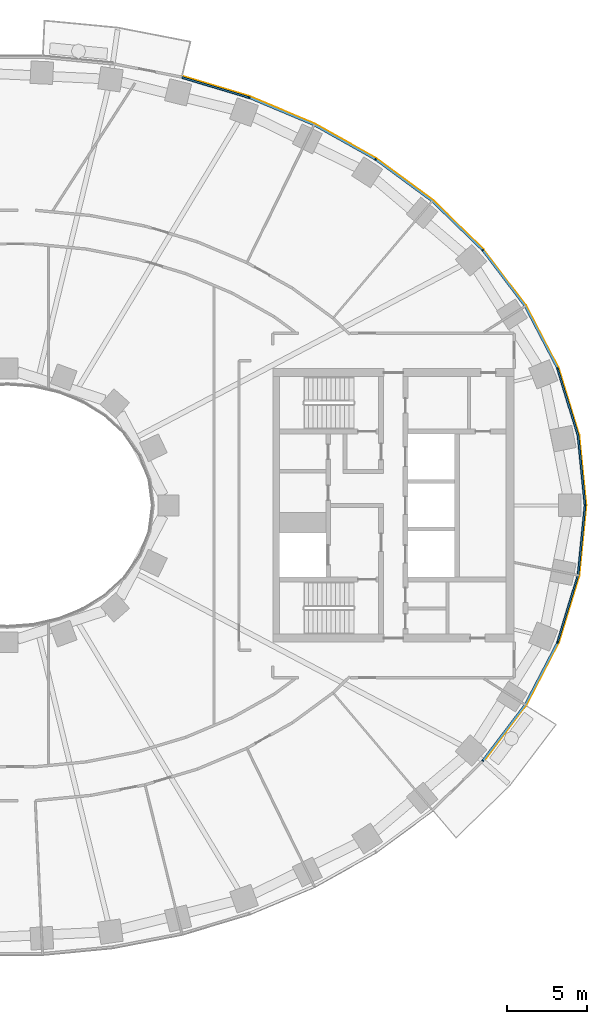
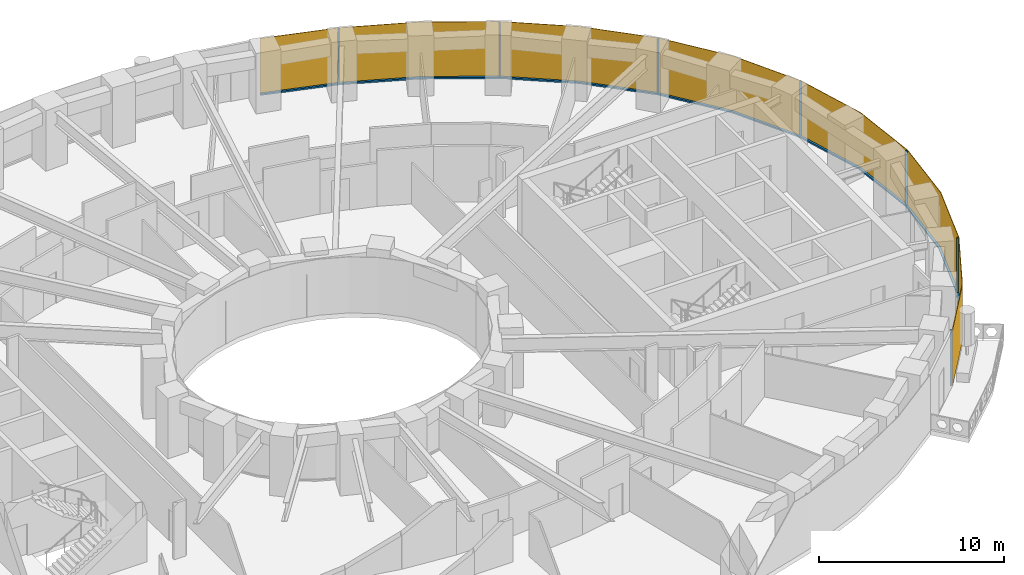
# One storey, part 13 of 16: 14 members, 1 curtain wall.
"""IFC4 building model written with IfcOpenShell, lengths in metres."""

from ifc_helpers import new_model, si_unit, direction, frame, origin, origin_2d, place, context, subcontext, project, spatial, polyline, rectangle, outline, extrude, material, layer, layer_set, material_profile, profile_set, type_object, element, aggregate, save


model = new_model("IFC4")

# Units and contexts
model_context = context("Model", 3, precision=1e-05, world=origin(), true_north=direction((0.0, 1.0)))
body_context = subcontext(model_context, "Body", "Model", "MODEL_VIEW")
ifc_project = project(units=[si_unit("LENGTHUNIT", "METRE"), si_unit("AREAUNIT", "SQUARE_METRE"), si_unit("VOLUMEUNIT", "CUBIC_METRE"), si_unit("PLANEANGLEUNIT", "RADIAN"), si_unit("MASSUNIT", "GRAM", prefix="KILO")], contexts=[model_context])

# Member
ifc_material_1 = material(Name="Aluminium 6063-T6 black anodised", Category="aluminium")
ifc_material_profile = material_profile(ifc_material_1, rectangle(XDim=0.1201171875, YDim=0.06005859375, at=origin_2d()), Name="120x60")
ifc_profile_set = profile_set([ifc_material_profile], Name="Aluminium 6063-T6 black anodised")
member_type_1 = type_object("IfcMemberType", Name="ENV-MULLION-A-120", PredefinedType="MULLION", material=ifc_profile_set)
site_placement = place(None, origin())
building_placement = place(site_placement, origin())
storey_placement = place(building_placement, frame((0.0, 0.0, 70.5)))
member_1_placement = place(storey_placement, frame((29.53857421875, -15.8671875, 0.0), z_axis=(0.0, 0.0, 1.0), x_axis=(-0.749047221705, 0.662516610853, 0.0)))
member_1 = element("IfcMember", 1, at=member_1_placement, type_object=member_type_1, Name="Mullion A radial 43", PredefinedType="MULLION", context=body_context, shape_type="SweptSolid", body=[
    extrude(rectangle(XDim=0.1201171875, YDim=0.06005859375, at=origin_2d()), origin(), (0.0, 0.0, 1.0), 3.699951171875),
])

member_2_placement = place(storey_placement, frame((34.19580078125, -8.513916015625, 0.0), z_axis=(0.0, 0.0, 1.0), x_axis=(-0.92546738067, 0.378827305398, 0.0)))
member_2 = element("IfcMember", 2, at=member_2_placement, type_object=member_type_1, Name="Mullion A radial 45", PredefinedType="MULLION", context=body_context, shape_type="SweptSolid", body=[
    extrude(rectangle(XDim=0.1201171875, YDim=0.06005859375, at=origin_2d()), origin(), (0.0, 0.0, 1.0), 3.699951171875),
])

member_3_placement = place(storey_placement, frame((35.907958984375, 0.0, 0.0), z_axis=(0.0, 0.0, 1.0), x_axis=(-1.0, 0.0, 0.0)))
member_3 = element("IfcMember", 3, at=member_3_placement, type_object=member_type_1, Name="Mullion A radial 01", PredefinedType="MULLION", context=body_context, shape_type="SweptSolid", body=[
    extrude(rectangle(XDim=0.1201171875, YDim=0.06005859375, at=origin_2d()), origin(), (0.0, 0.0, 1.0), 3.699951171875),
])

member_4_placement = place(storey_placement, frame((34.19580078125, 8.513916015625, 0.0), z_axis=(0.0, 0.0, 1.0), x_axis=(-0.92546738067, -0.378827305398, 0.0)))
member_4 = element("IfcMember", 4, at=member_4_placement, type_object=member_type_1, Name="Mullion A radial 03", PredefinedType="MULLION", context=body_context, shape_type="SweptSolid", body=[
    extrude(rectangle(XDim=0.1201171875, YDim=0.06005859375, at=origin_2d()), origin(), (0.0, 0.0, 1.0), 3.699951171875),
])

member_5_placement = place(storey_placement, frame((29.53857421875, 15.8671875, 0.0), z_axis=(0.0, 0.0, 1.0), x_axis=(-0.749047221705, -0.662516610853, 0.0)))
member_5 = element("IfcMember", 5, at=member_5_placement, type_object=member_type_1, Name="Mullion A radial 05", PredefinedType="MULLION", context=body_context, shape_type="SweptSolid", body=[
    extrude(rectangle(XDim=0.1201171875, YDim=0.06005859375, at=origin_2d()), origin(), (0.0, 0.0, 1.0), 3.699951171875),
])

member_6_placement = place(storey_placement, frame((22.882568359375, 21.506591796875, 0.0), z_axis=(0.0, 0.0, 1.0), x_axis=(-0.542279153225, -0.840198381323, 0.0)))
member_6 = element("IfcMember", 6, at=member_6_placement, type_object=member_type_1, Name="Mullion A radial 07", PredefinedType="MULLION", context=body_context, shape_type="SweptSolid", body=[
    extrude(rectangle(XDim=0.1201171875, YDim=0.06005859375, at=origin_2d()), origin(), (0.0, 0.0, 1.0), 3.699951171875),
])

member_7_placement = place(storey_placement, frame((15.0341796875, 25.34375, 0.0), z_axis=(0.0, 0.0, 1.0), x_axis=(-0.338379256581, -0.941009818608, 0.0)))
member_7 = element("IfcMember", 7, at=member_7_placement, type_object=member_type_1, Name="Mullion A radial 09", PredefinedType="MULLION", context=body_context, shape_type="SweptSolid", body=[
    extrude(rectangle(XDim=0.1201171875, YDim=0.06005859375, at=origin_2d()), origin(), (0.0, 0.0, 1.0), 3.699951171875),
])

ifc_material_2 = material(Name="Aluminium 6063-T6 black anodised", Category="aluminium")
member_type_2 = type_object("IfcMemberType", Name="ENV-TRANSOM-A", PredefinedType="USERDEFINED", material=ifc_material_2)
member_8_placement = place(storey_placement, origin())
member_8 = element("IfcMember", 8, at=member_8_placement, type_object=member_type_2, Name="Transom A radial 43-45", ObjectType="TRANSOM", PredefinedType="USERDEFINED", context=body_context, shape_type="SweptSolid", body=[
    extrude(outline(polyline([(29.6005859375, -15.884521484375), (32.22802734375, -12.41748046875), (34.23828125, -8.5615234375), (34.126708984375, -8.515869140625), (32.126220703125, -12.35302734375), (29.51025390625, -15.8046875), (29.6005859375, -15.884521484375)])), origin(), (0.0, 0.0, 1.0), 0.10009765625),
])

member_9_placement = place(storey_placement, origin())
member_9 = element("IfcMember", 9, at=member_9_placement, type_object=member_type_2, Name="Transom A radial 45-01", ObjectType="TRANSOM", PredefinedType="USERDEFINED", context=body_context, shape_type="SweptSolid", body=[
    extrude(outline(polyline([(34.259521484375, -8.509765625), (35.529541015625, -4.352294921875), (35.965087890625, -0.02783203125), (35.844482421875, -0.02783203125), (35.411376953125, -4.32861328125), (34.14794921875, -8.464111328125), (34.259521484375, -8.509765625)])), origin(), (0.0, 0.0, 1.0), 0.10009765625),
])

member_10_placement = place(storey_placement, origin())
member_10 = element("IfcMember", 10, at=member_10_placement, type_object=member_type_2, Name="Transom A radial 01-03", ObjectType="TRANSOM", PredefinedType="USERDEFINED", context=body_context, shape_type="SweptSolid", body=[
    extrude(outline(polyline([(35.965087890625, 0.02783203125), (35.529541015625, 4.352294921875), (34.259521484375, 8.509765625), (34.14794921875, 8.464111328125), (35.411376953125, 4.32861328125), (35.844482421875, 0.02783203125), (35.965087890625, 0.02783203125)])), origin(), (0.0, 0.0, 1.0), 0.10009765625),
])

member_11_placement = place(storey_placement, origin())
member_11 = element("IfcMember", 11, at=member_11_placement, type_object=member_type_2, Name="Transom A radial 03-05", ObjectType="TRANSOM", PredefinedType="USERDEFINED", context=body_context, shape_type="SweptSolid", body=[
    extrude(outline(polyline([(34.23828125, 8.5615234375), (32.22802734375, 12.41748046875), (29.6005859375, 15.884521484375), (29.51025390625, 15.8046875), (32.126220703125, 12.35302734375), (34.126708984375, 8.515869140625), (34.23828125, 8.5615234375)])), origin(), (0.0, 0.0, 1.0), 0.10009765625),
])

member_12_placement = place(storey_placement, origin())
member_12 = element("IfcMember", 12, at=member_12_placement, type_object=member_type_2, Name="Transom A radial 05-07", ObjectType="TRANSOM", PredefinedType="USERDEFINED", context=body_context, shape_type="SweptSolid", body=[
    extrude(outline(polyline([(29.5634765625, 15.926513671875), (26.4423828125, 18.958740234375), (22.937744140625, 21.540283203125), (22.87255859375, 21.439208984375), (26.364501953125, 18.866943359375), (29.473388671875, 15.8466796875), (29.5634765625, 15.926513671875)])), origin(), (0.0, 0.0, 1.0), 0.10009765625),
])

member_13_placement = place(storey_placement, origin())
member_13 = element("IfcMember", 13, at=member_13_placement, type_object=member_type_2, Name="Transom A radial 07-09", ObjectType="TRANSOM", PredefinedType="USERDEFINED", context=body_context, shape_type="SweptSolid", body=[
    extrude(outline(polyline([(22.890625, 21.570556640625), (19.093994140625, 23.701416015625), (15.080322265625, 25.389404296875), (15.03955078125, 25.276123046875), (19.041259765625, 23.593505859375), (22.825439453125, 21.469482421875), (22.890625, 21.570556640625)])), origin(), (0.0, 0.0, 1.0), 0.10009765625),
])

member_14_placement = place(storey_placement, origin())
member_14 = element("IfcMember", 14, at=member_14_placement, type_object=member_type_2, Name="Transom A radial 09-10", ObjectType="TRANSOM", PredefinedType="USERDEFINED", context=body_context, shape_type="SweptSolid", body=[
    extrude(outline(polyline([(15.027587890625, 25.408203125), (10.876708984375, 26.657470703125), (10.847900390625, 26.540771484375), (14.987060546875, 25.295166015625), (15.027587890625, 25.408203125)])), origin(), (0.0, 0.0, 1.0), 0.10009765625),
])

# Site, building, storey
site = spatial("IfcSite", under=ifc_project, at=site_placement, CompositionType="ELEMENT")
building = spatial("IfcBuilding", under=site, at=building_placement, Name="Noorbagh Ring Tower", CompositionType="ELEMENT")
storey = spatial("IfcBuildingStorey", under=building, at=storey_placement, Name="L15", CompositionType="ELEMENT", Elevation=70.5)

# Curtain wall
ifc_material_3 = material(Name="Glass dark tinted laminated", Category="glass")
ifc_layer = layer(ifc_material_3, 0.031982421875)
ifc_layer_set = layer_set([ifc_layer], Name="Glass dark tinted laminated")
curtain_wall_type = type_object("IfcCurtainWallType", Name="ENV-CW-A", PredefinedType="NOTDEFINED", material=ifc_layer_set)
curtain_wall_placement = place(storey_placement, origin())
curtain_wall = element("IfcCurtainWall", 15, at=curtain_wall_placement, inside=storey, type_object=curtain_wall_type, Name="Curtain wall A R43", PredefinedType="NOTDEFINED", context=body_context, shape_type="SweptSolid", body=[
    extrude(outline(polyline([(29.61962890625, -15.912109375), (32.255126953125, -12.434814453125), (34.281005859375, -8.548828125), (35.561279296875, -4.358642578125), (36.0, 0.0), (35.561279296875, 4.358642578125), (34.281005859375, 8.548828125), (32.255126953125, 12.434814453125), (29.607666015625, 15.927978515625), (26.463134765625, 18.9833984375), (22.9326171875, 21.583740234375), (19.108154296875, 23.730224609375), (15.065185546875, 25.430419921875), (10.884521484375, 26.6884765625), (10.876708984375, 26.657470703125), (15.054443359375, 25.400146484375), (19.093994140625, 23.701416015625), (22.9150390625, 21.556884765625), (26.4423828125, 18.958740234375), (29.58349609375, 15.906982421875), (32.22802734375, 12.41748046875), (34.251220703125, 8.53662109375), (35.529541015625, 4.352294921875), (35.9677734375, 0.0), (35.529541015625, -4.352294921875), (34.251220703125, -8.53662109375), (32.22802734375, -12.41748046875), (29.595703125, -15.890869140625), (29.61962890625, -15.912109375)])), origin(), (0.0, 0.0, 1.0), 3.699951171875),
])

aggregate(curtain_wall, [member_1, member_2, member_3, member_4, member_5, member_6, member_7, member_8, member_9, member_10, member_11, member_12, member_13, member_14])

save(model, "model.ifc")
